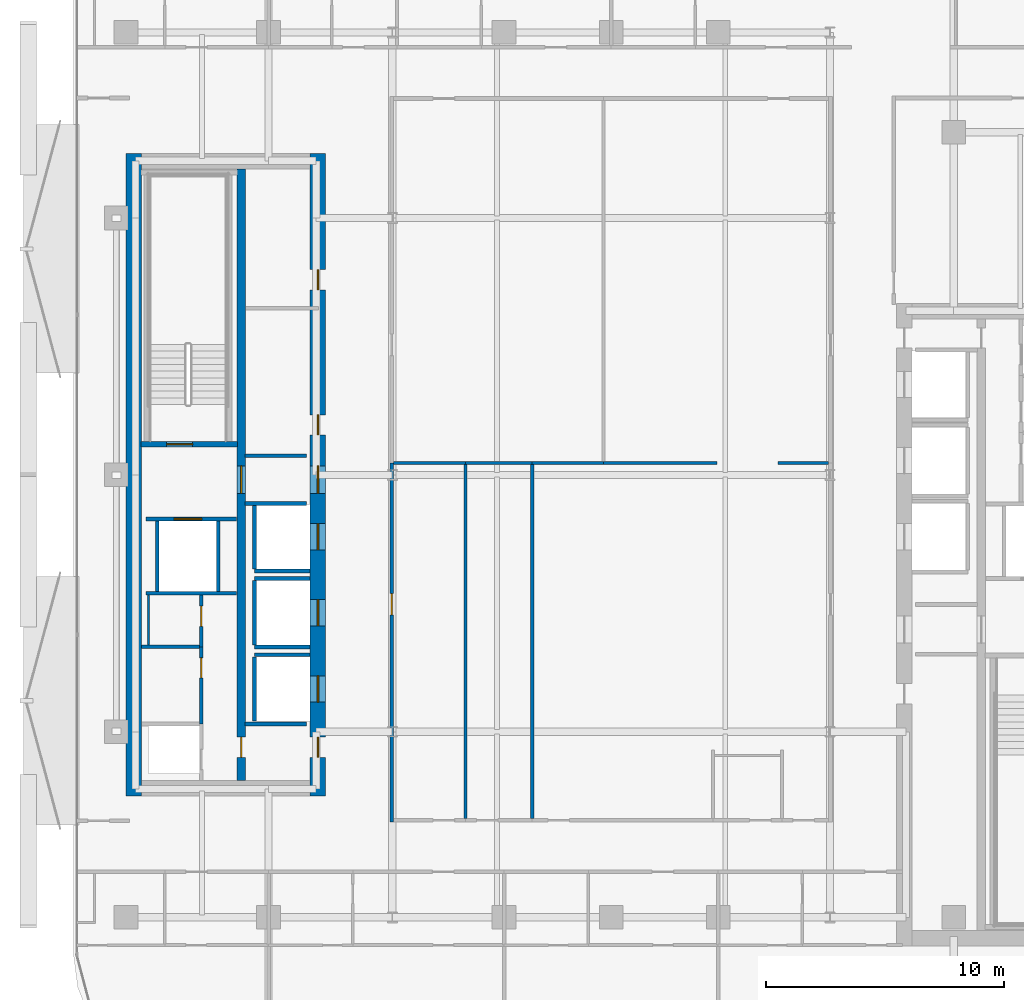
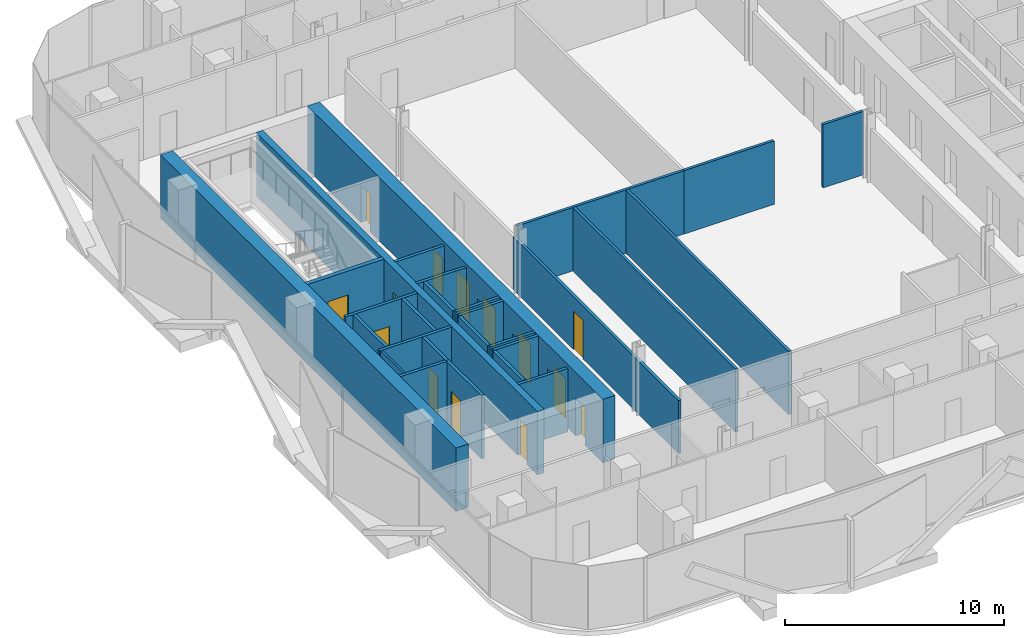
# One storey, part 4 of 17: 30 walls, 14 doors, 14 openings.
"""IFC4 building model written with IfcOpenShell, lengths in metres."""

from ifc_helpers import new_model, si_unit, direction, frame, frame_2d, origin, place, context, subcontext, project, spatial, rectangle, extrude, material, layer, layer_set, type_object, element, fill, save


model = new_model("IFC4")

# Units and contexts
model_context = context("Model", 3, precision=1e-05, world=origin(), true_north=direction((0.0, 1.0)))
body_context = subcontext(model_context, "Body", "Model", "MODEL_VIEW")
ifc_project = project(units=[si_unit("LENGTHUNIT", "METRE"), si_unit("AREAUNIT", "SQUARE_METRE"), si_unit("VOLUMEUNIT", "CUBIC_METRE"), si_unit("PLANEANGLEUNIT", "RADIAN"), si_unit("MASSUNIT", "GRAM", prefix="KILO")], contexts=[model_context])

# Site, building, storey
site_placement = place(None, origin())
site = spatial("IfcSite", under=ifc_project, at=site_placement, CompositionType="ELEMENT")
building_placement = place(site_placement, origin())
building = spatial("IfcBuilding", under=site, at=building_placement, Name="Khairoan Windgate Tower", CompositionType="ELEMENT")
storey_placement = place(building_placement, frame((0.0, 0.0, 180.199951171875)))
storey = spatial("IfcBuildingStorey", under=building, at=storey_placement, Name="L41", CompositionType="ELEMENT", Elevation=180.199951171875)

# Walls
ifc_material_1 = material(Name="Moisture-Resistant Gypsum Partition", Category="gypsum")
ifc_layer_1 = layer(ifc_material_1, 0.10009765625, Name="Moisture-Resistant Gypsum Partition")
ifc_layer_set_1 = layer_set([ifc_layer_1], Name="Moisture-Resistant Gypsum Partition")
wall_type_1 = type_object("IfcWallType", Name="Bathroom Wet-Area Partition Wall", PredefinedType="PARTITIONING", material=ifc_layer_set_1)
wall_1_placement = place(storey_placement, frame((-19.449951171875, -7.14990234375, 0.0), z_axis=(0.0, 0.0, 1.0), x_axis=(0.0, 1.0, 0.0)))
element("IfcWall", 1, at=wall_1_placement, inside=storey, type_object=wall_type_1, Name="L41 Wet Room Side Wall 095", PredefinedType="PARTITIONING", context=body_context, shape_type="SweptSolid", body=[
    extrude(rectangle(XDim=2.08984375, YDim=0.10009765625, at=frame_2d((1.044921875, 0.0))), origin(), (0.0, 0.0, 1.0), 3.5400390625),
])
ifc_material_2 = material(Name="Concrete C40/50", Category="concrete")
ifc_layer_2 = layer(ifc_material_2, 0.159912109375, Name="Concrete C40/50")
ifc_layer_set_2 = layer_set([ifc_layer_2], Name="Concrete C40/50")
wall_type_2 = type_object("IfcWallType", Name="Core and Hoistway Enclosure Wall", PredefinedType="STANDARD", material=ifc_layer_set_2)
wall_2_placement = place(storey_placement, frame((-14.989990234375, -4.0400390625, 0.0), z_axis=(0.0, 0.0, 1.0), x_axis=(1.0, 0.0, 0.0)))
element("IfcWall", 2, at=wall_2_placement, inside=storey, type_object=wall_type_2, Name="L41 Lift PL4 Hoistway Divider S", PredefinedType="STANDARD", context=body_context, shape_type="SweptSolid", body=[
    extrude(rectangle(XDim=2.340087890625, YDim=0.159912109375, at=frame_2d((1.169921875, 0.0))), origin(), (0.0, 0.0, 1.0), 3.5400390625),
])
wall_3_placement = place(storey_placement, frame((-14.989990234375, -3.949951171875, 0.0), z_axis=(0.0, 0.0, 1.0), x_axis=(0.0, 1.0, 0.0)))
element("IfcWall", 3, at=wall_3_placement, inside=storey, type_object=wall_type_2, Name="L41 Lift PL4 Hoistway Back Wall", PredefinedType="STANDARD", context=body_context, shape_type="SweptSolid", body=[
    extrude(rectangle(XDim=2.699951171875, YDim=0.159912109375, at=frame_2d((1.35009765625, 0.0))), origin(), (0.0, 0.0, 1.0), 3.5400390625),
])
for number, where, z_axis, x_axis, name in (
    (4, (-14.989990234375, -7.239990234375, 0.0), (0.0, 0.0, 1.0), (1.0, 0.0, 0.0), "L41 Lift PL5 Hoistway Divider S"),
    (5, (-14.989990234375, -4.360107421875, 0.0), (0.0, 0.0, 1.0), (1.0, 0.0, 0.0), "L41 Lift PL5 Hoistway Divider N"),
):
    element("IfcWall", number, at=place(storey_placement, frame(where, z_axis=z_axis, x_axis=x_axis)), inside=storey, type_object=wall_type_2, Name=name, PredefinedType="STANDARD", context=body_context, shape_type="SweptSolid", body=[
        extrude(rectangle(XDim=2.340087890625, YDim=0.159912109375, at=frame_2d((1.169921875, 0.0))), origin(), (0.0, 0.0, 1.0), 3.5400390625),
    ])
wall_4_placement = place(storey_placement, frame((-14.989990234375, -7.14990234375, 0.0), z_axis=(0.0, 0.0, 1.0), x_axis=(0.0, 1.0, 0.0)))
element("IfcWall", 6, at=wall_4_placement, inside=storey, type_object=wall_type_2, Name="L41 Lift PL5 Hoistway Back Wall", PredefinedType="STANDARD", context=body_context, shape_type="SweptSolid", body=[
    extrude(rectangle(XDim=2.699951171875, YDim=0.159912109375, at=frame_2d((1.35009765625, 0.0))), origin(), (0.0, 0.0, 1.0), 3.5400390625),
])
wall_5_placement = place(storey_placement, frame((-14.989990234375, -7.56005859375, 0.0), z_axis=(0.0, 0.0, 1.0), x_axis=(1.0, 0.0, 0.0)))
element("IfcWall", 7, at=wall_5_placement, inside=storey, type_object=wall_type_2, Name="L41 Lift PL6 Hoistway Divider N", PredefinedType="STANDARD", context=body_context, shape_type="SweptSolid", body=[
    extrude(rectangle(XDim=2.340087890625, YDim=0.159912109375, at=frame_2d((1.169921875, 0.0))), origin(), (0.0, 0.0, 1.0), 3.5400390625),
])
wall_6_placement = place(storey_placement, frame((-14.989990234375, -10.35009765625, 0.0), z_axis=(0.0, 0.0, 1.0), x_axis=(0.0, 1.0, 0.0)))
element("IfcWall", 8, at=wall_6_placement, inside=storey, type_object=wall_type_2, Name="L41 Lift PL6 Hoistway Back Wall", PredefinedType="STANDARD", context=body_context, shape_type="SweptSolid", body=[
    extrude(rectangle(XDim=2.7001953125, YDim=0.159912109375, at=frame_2d((1.35009765625, 0.0))), origin(), (0.0, 0.0, 1.0), 3.5400390625),
])

# Wall, opening, door
wall_7_placement = place(storey_placement, frame((-19.550048828125, -1.860107421875, 0.0), z_axis=(0.0, 0.0, 1.0), x_axis=(1.0, 0.0, 0.0)))
wall_7 = element("IfcWall", 9, at=wall_7_placement, inside=storey, type_object=wall_type_2, Name="L41 Core Shaft Wall SW-FL2-L41", PredefinedType="STANDARD", context=body_context, shape_type="SweptSolid", body=[
    extrude(rectangle(XDim=3.800048828125, YDim=0.159912109375, at=frame_2d((1.89990234375, 0.0))), origin(), (0.0, 0.0, 1.0), 3.5400390625),
])
opening_1_placement = place(wall_7_placement, frame((1.179931640625, 0.0, 0.0)))
opening_1 = element("IfcOpeningElement", 10, at=opening_1_placement, cuts=wall_7, Name="Opening LD-FL", PredefinedType="OPENING", context=body_context, shape_type="SweptSolid", body=[
    extrude(rectangle(XDim=1.14990234375, YDim=2.199951171875, at=frame_2d((0.574951171875, 1.10009765625))), frame((0.0, 0.08984375, 0.0), z_axis=(0.0, -1.0, 0.0), x_axis=(1.0, 0.0, 0.0)), (0.0, 0.0, 1.0), 0.179931640625),
])
ifc_material_3 = material(Name="Steel S355", Category="steel")
door_type_1 = type_object("IfcDoorType", Name="Firefighting Lift Sliding Landing Door LD-FL 1150x2200", OperationType="DOUBLE_DOOR_SLIDING", PredefinedType="DOOR", material=ifc_material_3)
door_1_placement = place(opening_1_placement, origin())
door_1 = element("IfcDoor", 11, at=door_1_placement, inside=storey, type_object=door_type_1, Name="L41 Firefighting Lift FL2 Landing Door", OperationType="DOUBLE_DOOR_SLIDING", OverallHeight=2.199951171875, OverallWidth=1.14990234375, PredefinedType="DOOR", context=body_context, shape_type="SweptSolid", body=[
    extrude(rectangle(XDim=1.14990234375, YDim=2.199951171875, at=frame_2d((0.574951171875, 1.10009765625))), frame((0.0, 0.02490234375, 0.0), z_axis=(0.0, -1.0, 0.0), x_axis=(1.0, 0.0, 0.0)), (0.0, 0.0, 1.0), 0.050048828125),
])
fill(opening_1, door_1)

# Walls
wall_8_placement = place(storey_placement, frame((-19.550048828125, -4.97998046875, 0.0), z_axis=(0.0, 0.0, 1.0), x_axis=(1.0, 0.0, 0.0)))
element("IfcWall", 12, at=wall_8_placement, inside=storey, type_object=wall_type_2, Name="L41 Core Shaft Wall SW-FL2B-L41", PredefinedType="STANDARD", context=body_context, shape_type="SweptSolid", body=[
    extrude(rectangle(XDim=3.800048828125, YDim=0.159912109375, at=frame_2d((1.89990234375, 0.0))), origin(), (0.0, 0.0, 1.0), 3.5400390625),
])
for number, where, z_axis, x_axis, name in (
    (13, (-19.080078125, -4.89990234375, 0.0), (0.0, 0.0, 1.0), (0.0, 1.0, 0.0), "L41 Core Shaft Wall SW-FL2W-L41"),
    (14, (-16.52001953125, -4.89990234375, 0.0), (0.0, 0.0, 1.0), (0.0, 1.0, 0.0), "L41 Core Shaft Wall SW-FL2E-L41"),
):
    element("IfcWall", number, at=place(storey_placement, frame(where, z_axis=z_axis, x_axis=x_axis)), inside=storey, type_object=wall_type_2, Name=name, PredefinedType="STANDARD", context=body_context, shape_type="SweptSolid", body=[
        extrude(rectangle(XDim=2.9599609375, YDim=0.159912109375, at=frame_2d((1.47998046875, 0.0))), origin(), (0.0, 0.0, 1.0), 3.5400390625),
    ])
for number, where, z_axis, x_axis, name in (
    (15, (-15.39990234375, 0.800048828125, 0.0), (0.0, 0.0, 1.0), (1.0, 0.0, 0.0), "L41 Core Shaft Wall SW-WV1-L41"),
    (16, (-15.39990234375, -1.199951171875, 0.0), (0.0, 0.0, 1.0), (1.0, 0.0, 0.0), "L41 Core Shaft Wall SW-WV2-L41"),
    (17, (-15.39990234375, -10.47998046875, 0.0), (0.0, 0.0, 1.0), (1.0, 0.0, 0.0), "L41 Core Shaft Wall SW-WSV-L41"),
):
    element("IfcWall", number, at=place(storey_placement, frame(where, z_axis=z_axis, x_axis=x_axis)), inside=storey, type_object=wall_type_2, Name=name, PredefinedType="STANDARD", context=body_context, shape_type="SweptSolid", body=[
        extrude(rectangle(XDim=2.599853515625, YDim=0.159912109375, at=frame_2d((1.2998046875, 0.0))), origin(), (0.0, 0.0, 1.0), 3.5400390625),
    ])
ifc_material_4 = material(Name="Acoustic Fire-Rated Gypsum Partition", Category="gypsum")
ifc_layer_3 = layer(ifc_material_4, 0.139892578125, Name="Acoustic Fire-Rated Gypsum Partition")
ifc_layer_set_3 = layer_set([ifc_layer_3], Name="Acoustic Fire-Rated Gypsum Partition")
wall_type_3 = type_object("IfcWallType", Name="Inter-Tenancy Compartment Wall", PredefinedType="PARTITIONING", material=ifc_layer_set_3)
wall_9_placement = place(storey_placement, frame((-6.1201171875, -14.445068359375, 0.0), z_axis=(0.0, 0.0, 1.0), x_axis=(0.0, 1.0, 0.0)))
element("IfcWall", 18, at=wall_9_placement, inside=storey, type_object=wall_type_3, Name="L41 Interior Partition 045", PredefinedType="PARTITIONING", context=body_context, shape_type="SweptSolid", body=[
    extrude(rectangle(XDim=14.875, YDim=0.139892578125, at=frame_2d((7.4375, 0.0))), origin(), (0.0, 0.0, 1.0), 3.5400390625),
])
wall_10_placement = place(storey_placement, frame((-9.14501953125, 0.5, 0.0), z_axis=(0.0, 0.0, 1.0), x_axis=(1.0, 0.0, 0.0)))
element("IfcWall", 19, at=wall_10_placement, inside=storey, type_object=wall_type_3, Name="L41 Interior Partition 046", PredefinedType="PARTITIONING", context=body_context, shape_type="SweptSolid", body=[
    extrude(rectangle(XDim=3.02490234375, YDim=0.139892578125, at=frame_2d((1.512451171875, 0.0))), origin(), (0.0, 0.0, 1.0), 3.5400390625),
])
wall_11_placement = place(storey_placement, frame((-3.320068359375, -14.445068359375, 0.0), z_axis=(0.0, 0.0, 1.0), x_axis=(0.0, 1.0, 0.0)))
element("IfcWall", 20, at=wall_11_placement, inside=storey, type_object=wall_type_3, Name="L41 Interior Partition 047", PredefinedType="PARTITIONING", context=body_context, shape_type="SweptSolid", body=[
    extrude(rectangle(XDim=14.875, YDim=0.139892578125, at=frame_2d((7.4375, 0.0))), origin(), (0.0, 0.0, 1.0), 3.5400390625),
])
wall_12_placement = place(storey_placement, frame((-6.1201171875, 0.5, 0.0), z_axis=(0.0, 0.0, 1.0), x_axis=(1.0, 0.0, 0.0)))
element("IfcWall", 21, at=wall_12_placement, inside=storey, type_object=wall_type_3, Name="L41 Interior Partition 048", PredefinedType="PARTITIONING", context=body_context, shape_type="SweptSolid", body=[
    extrude(rectangle(XDim=2.800048828125, YDim=0.139892578125, at=frame_2d((1.39990234375, 0.0))), origin(), (0.0, 0.0, 1.0), 3.5400390625),
])
wall_13_placement = place(storey_placement, frame((-3.320068359375, 0.5, 0.0), z_axis=(0.0, 0.0, 1.0), x_axis=(1.0, 0.0, 0.0)))
element("IfcWall", 22, at=wall_13_placement, inside=storey, type_object=wall_type_3, Name="L41 Interior Partition 050", PredefinedType="PARTITIONING", context=body_context, shape_type="SweptSolid", body=[
    extrude(rectangle(XDim=3.0, YDim=0.139892578125, at=frame_2d((1.5, 0.0))), origin(), (0.0, 0.0, 1.0), 3.5400390625),
])
wall_14_placement = place(storey_placement, frame((-0.320068359375, 0.5, 0.0), z_axis=(0.0, 0.0, 1.0), x_axis=(1.0, 0.0, 0.0)))
element("IfcWall", 23, at=wall_14_placement, inside=storey, type_object=wall_type_3, Name="L41 Interior Partition 051", PredefinedType="PARTITIONING", context=body_context, shape_type="SweptSolid", body=[
    extrude(rectangle(XDim=4.760009765625, YDim=0.139892578125, at=frame_2d((2.3798828125, 0.0))), origin(), (0.0, 0.0, 1.0), 3.5400390625),
])
wall_15_placement = place(storey_placement, frame((7.02001953125, 0.5, 0.0), z_axis=(0.0, 0.0, 1.0), x_axis=(1.0, 0.0, 0.0)))
element("IfcWall", 24, at=wall_15_placement, inside=storey, type_object=wall_type_3, Name="L41 Interior Partition 053", PredefinedType="PARTITIONING", context=body_context, shape_type="SweptSolid", body=[
    extrude(rectangle(XDim=2.125, YDim=0.139892578125, at=frame_2d((1.0625, 0.0))), origin(), (0.0, 0.0, 1.0), 3.5400390625),
])

# Wall, opening, door
ifc_material_5 = material(Name="Concrete C40/50", Category="concrete")
ifc_layer_4 = layer(ifc_material_5, 0.159912109375, Name="Concrete C40/50")
ifc_layer_set_4 = layer_set([ifc_layer_4], Name="Concrete C40/50")
wall_type_4 = type_object("IfcWallType", Name="Plant and Refuge Compartment Wall", PredefinedType="PARTITIONING", material=ifc_layer_set_4)
wall_16_placement = place(storey_placement, frame((-17.22998046875, -7.22998046875, 0.0), z_axis=(0.0, 0.0, 1.0), x_axis=(0.0, 1.0, 0.0)))
wall_16 = element("IfcWall", 25, at=wall_16_placement, inside=storey, type_object=wall_type_4, Name="L41 Interior Partition 002", PredefinedType="PARTITIONING", context=body_context, shape_type="SweptSolid", body=[
    extrude(rectangle(XDim=2.169921875, YDim=0.159912109375, at=frame_2d((1.0849609375, 0.0))), origin(), (0.0, 0.0, 1.0), 3.5400390625),
])
opening_2_placement = place(wall_16_placement, frame((0.860107421875, 0.0, 0.0)))
opening_2 = element("IfcOpeningElement", 26, at=opening_2_placement, cuts=wall_16, Name="Opening FD-SRV", PredefinedType="OPENING", context=body_context, shape_type="SweptSolid", body=[
    extrude(rectangle(XDim=0.85009765625, YDim=2.10009765625, at=frame_2d((0.425048828125, 1.050048828125))), frame((0.0, 0.08984375, 0.0), z_axis=(0.0, -1.0, 0.0), x_axis=(1.0, 0.0, 0.0)), (0.0, 0.0, 1.0), 0.179931640625),
])
ifc_material_6 = material(Name="Steel S355", Category="steel")
door_type_2 = type_object("IfcDoorType", Name="Core Service and Riser Fire Door FD-SRV 850x2100", OperationType="NOTDEFINED", PredefinedType="DOOR", material=ifc_material_6)
door_2_placement = place(opening_2_placement, origin())
door_2 = element("IfcDoor", 27, at=door_2_placement, inside=storey, type_object=door_type_2, Name="L41 L41-04-L41-06 Door", OperationType="SINGLE_SWING_LEFT", OverallHeight=2.10009765625, OverallWidth=0.85009765625, PredefinedType="DOOR", context=body_context, shape_type="SweptSolid", body=[
    extrude(rectangle(XDim=0.85009765625, YDim=2.10009765625, at=frame_2d((0.425048828125, 1.050048828125))), frame((0.0, 0.02490234375, 0.0), z_axis=(0.0, -1.0, 0.0), x_axis=(1.0, 0.0, 0.0)), (0.0, 0.0, 1.0), 0.050048828125),
])
fill(opening_2, door_2)

wall_17_placement = place(storey_placement, frame((-17.22998046875, -10.469970703125, 0.0), z_axis=(0.0, 0.0, 1.0), x_axis=(0.0, 1.0, 0.0)))
wall_17 = element("IfcWall", 28, at=wall_17_placement, inside=storey, type_object=wall_type_4, Name="L41 Interior Partition 003", PredefinedType="PARTITIONING", context=body_context, shape_type="SweptSolid", body=[
    extrude(rectangle(XDim=3.239990234375, YDim=0.159912109375, at=frame_2d((1.6201171875, 0.0))), origin(), (0.0, 0.0, 1.0), 3.5400390625),
])
opening_3_placement = place(wall_17_placement, frame((1.929931640625, 0.0, 0.0)))
opening_3 = element("IfcOpeningElement", 29, at=opening_3_placement, cuts=wall_17, Name="Opening FD-SRV", PredefinedType="OPENING", context=body_context, shape_type="SweptSolid", body=[
    extrude(rectangle(XDim=0.85009765625, YDim=2.10009765625, at=frame_2d((0.425048828125, 1.050048828125))), frame((0.0, 0.08984375, 0.0), z_axis=(0.0, -1.0, 0.0), x_axis=(1.0, 0.0, 0.0)), (0.0, 0.0, 1.0), 0.179931640625),
])
door_3_placement = place(opening_3_placement, origin())
door_3 = element("IfcDoor", 30, at=door_3_placement, inside=storey, type_object=door_type_2, Name="L41 L41-04-L41-07 Door", OperationType="SINGLE_SWING_RIGHT", OverallHeight=2.10009765625, OverallWidth=0.85009765625, PredefinedType="DOOR", context=body_context, shape_type="SweptSolid", body=[
    extrude(rectangle(XDim=0.85009765625, YDim=2.10009765625, at=frame_2d((0.425048828125, 1.050048828125))), frame((0.0, 0.02490234375, 0.0), z_axis=(0.0, -1.0, 0.0), x_axis=(1.0, 0.0, 0.0)), (0.0, 0.0, 1.0), 0.050048828125),
])
fill(opening_3, door_3)

# Wall
wall_18_placement = place(storey_placement, frame((-19.75, -7.22998046875, 0.0), z_axis=(0.0, 0.0, 1.0), x_axis=(1.0, 0.0, 0.0)))
element("IfcWall", 31, at=wall_18_placement, inside=storey, type_object=wall_type_4, Name="L41 Interior Partition 005", PredefinedType="PARTITIONING", context=body_context, shape_type="SweptSolid", body=[
    extrude(rectangle(XDim=2.43994140625, YDim=0.159912109375, at=frame_2d((1.219970703125, 0.0))), origin(), (0.0, 0.0, 1.0), 3.5400390625),
])

# Wall, opening, door
ifc_material_7 = material(Name="Acoustic Fire-Rated Gypsum Partition", Category="gypsum")
ifc_layer_5 = layer(ifc_material_7, 0.14990234375, Name="Acoustic Fire-Rated Gypsum Partition")
ifc_layer_set_5 = layer_set([ifc_layer_5], Name="Acoustic Fire-Rated Gypsum Partition")
wall_type_5 = type_object("IfcWallType", Name="Rated Corridor Partition Wall", PredefinedType="PARTITIONING", material=ifc_layer_set_5)
wall_19_placement = place(storey_placement, frame((-9.219970703125, -14.594970703125, 0.0), z_axis=(0.0, 0.0, 1.0), x_axis=(0.0, 1.0, 0.0)))
wall_19 = element("IfcWall", 32, at=wall_19_placement, inside=storey, type_object=wall_type_5, Name="L41 Interior Partition 012", PredefinedType="PARTITIONING", context=body_context, shape_type="SweptSolid", body=[
    extrude(rectangle(XDim=15.094970703125, YDim=0.14990234375, at=frame_2d((7.54736328125, 0.0))), origin(), (0.0, 0.0, 1.0), 2.9521484375),
])
opening_4_placement = place(wall_19_placement, frame((8.70654296875, 0.0, 0.0)))
opening_4 = element("IfcOpeningElement", 33, at=opening_4_placement, cuts=wall_19, Name="Opening FD-ENT", PredefinedType="OPENING", context=body_context, shape_type="SweptSolid", body=[
    extrude(rectangle(XDim=0.89990234375, YDim=2.14990234375, at=frame_2d((0.449951171875, 1.074951171875))), frame((0.0, 0.0849609375, 0.0), z_axis=(0.0, -1.0, 0.0), x_axis=(1.0, 0.0, 0.0)), (0.0, 0.0, 1.0), 0.169921875),
])
ifc_material_8 = material(Name="Timber Fire-Rated Core", Category="wood")
door_type_3 = type_object("IfcDoorType", Name="Unit and Office Fire Entrance Door FD-ENT 900x2150", OperationType="NOTDEFINED", PredefinedType="DOOR", material=ifc_material_8)
door_4_placement = place(opening_4_placement, origin())
door_4 = element("IfcDoor", 34, at=door_4_placement, inside=storey, type_object=door_type_3, Name="L41 L41-28-L41-32 Door", OperationType="SINGLE_SWING_RIGHT", OverallHeight=2.14990234375, OverallWidth=0.89990234375, PredefinedType="DOOR", context=body_context, shape_type="SweptSolid", body=[
    extrude(rectangle(XDim=0.89990234375, YDim=2.14990234375, at=frame_2d((0.449951171875, 1.074951171875))), frame((0.0, 0.02490234375, 0.0), z_axis=(0.0, -1.0, 0.0), x_axis=(1.0, 0.0, 0.0)), (0.0, 0.0, 1.0), 0.050048828125),
])
fill(opening_4, door_4)

# Wall
ifc_material_9 = material(Name="Concrete C60/75", Category="concrete")
ifc_layer_6 = layer(ifc_material_9, 0.64990234375, Name="Concrete C60/75")
ifc_layer_set_6 = layer_set([ifc_layer_6], Name="Concrete C60/75")
wall_type_6 = type_object("IfcWallType", Name="Shear Wall CW-W2 650mm", PredefinedType="SHEAR", material=ifc_layer_set_6)
wall_20_placement = place(storey_placement, frame((-20.074951171875, -13.5, 0.0), z_axis=(0.0, 0.0, 1.0), x_axis=(0.0, 1.0, 0.0)))
element("IfcWall", 35, at=wall_20_placement, inside=storey, type_object=wall_type_6, Name="W Core West Shear Wall L41", PredefinedType="SHEAR", context=body_context, shape_type="SweptSolid", body=[
    extrude(rectangle(XDim=27.0, YDim=0.64990234375, at=frame_2d((13.5, 0.0))), origin(), (0.0, 0.0, 1.0), 3.5400390625),
])

# Wall, openings, doors
wall_21_placement = place(storey_placement, frame((-12.324951171875, -13.5, 0.0), z_axis=(0.0, 0.0, 1.0), x_axis=(0.0, 1.0, 0.0)))
wall_21 = element("IfcWall", 36, at=wall_21_placement, inside=storey, type_object=wall_type_6, Name="W Core East Shear Wall L41", PredefinedType="SHEAR", context=body_context, shape_type="SweptSolid", body=[
    extrude(rectangle(XDim=27.0, YDim=0.64990234375, at=frame_2d((13.5, 0.0))), origin(), (0.0, 0.0, 1.0), 3.5400390625),
])
opening_5_placement = place(wall_21_placement, frame((10.35009765625, 0.0, 0.0)))
opening_5 = element("IfcOpeningElement", 37, at=opening_5_placement, cuts=wall_21, Name="Opening LD-PL", PredefinedType="OPENING", context=body_context, shape_type="SweptSolid", body=[
    extrude(rectangle(XDim=1.10009765625, YDim=2.199951171875, at=frame_2d((0.550048828125, 1.10009765625))), frame((0.0, 0.3349609375, 0.0), z_axis=(0.0, -1.0, 0.0), x_axis=(1.0, 0.0, 0.0)), (0.0, 0.0, 1.0), 0.669921875),
])
opening_6_placement = place(wall_21_placement, frame((7.14990234375, 0.0, 0.0)))
opening_6 = element("IfcOpeningElement", 38, at=opening_6_placement, cuts=wall_21, Name="Opening LD-PL", PredefinedType="OPENING", context=body_context, shape_type="SweptSolid", body=[
    extrude(rectangle(XDim=1.10009765625, YDim=2.199951171875, at=frame_2d((0.550048828125, 1.10009765625))), frame((0.0, 0.3349609375, 0.0), z_axis=(0.0, -1.0, 0.0), x_axis=(1.0, 0.0, 0.0)), (0.0, 0.0, 1.0), 0.669921875),
])
opening_7_placement = place(wall_21_placement, frame((3.949951171875, 0.0, 0.0)))
opening_7 = element("IfcOpeningElement", 39, at=opening_7_placement, cuts=wall_21, Name="Opening LD-PL", PredefinedType="OPENING", context=body_context, shape_type="SweptSolid", body=[
    extrude(rectangle(XDim=1.10009765625, YDim=2.199951171875, at=frame_2d((0.550048828125, 1.10009765625))), frame((0.0, 0.3349609375, 0.0), z_axis=(0.0, -1.0, 0.0), x_axis=(1.0, 0.0, 0.0)), (0.0, 0.0, 1.0), 0.669921875),
])
opening_8_placement = place(wall_21_placement, frame((15.175048828125, 0.0, 0.0)))
opening_8 = element("IfcOpeningElement", 40, at=opening_8_placement, cuts=wall_21, Name="Opening FD-SRV", PredefinedType="OPENING", context=body_context, shape_type="SweptSolid", body=[
    extrude(rectangle(XDim=0.85009765625, YDim=2.10009765625, at=frame_2d((0.425048828125, 1.050048828125))), frame((0.0, 0.3349609375, 0.0), z_axis=(0.0, -1.0, 0.0), x_axis=(1.0, 0.0, 0.0)), (0.0, 0.0, 1.0), 0.669921875),
])
opening_9_placement = place(wall_21_placement, frame((21.27490234375, 0.0, 0.0)))
opening_9 = element("IfcOpeningElement", 41, at=opening_9_placement, cuts=wall_21, Name="Opening FD-SRV", PredefinedType="OPENING", context=body_context, shape_type="SweptSolid", body=[
    extrude(rectangle(XDim=0.85009765625, YDim=2.10009765625, at=frame_2d((0.425048828125, 1.050048828125))), frame((0.0, 0.3349609375, 0.0), z_axis=(0.0, -1.0, 0.0), x_axis=(1.0, 0.0, 0.0)), (0.0, 0.0, 1.0), 0.669921875),
])
opening_10_placement = place(wall_21_placement, frame((12.72509765625, 0.0, 0.0)))
opening_10 = element("IfcOpeningElement", 42, at=opening_10_placement, cuts=wall_21, Name="Opening FD-FFL", PredefinedType="OPENING", context=body_context, shape_type="SweptSolid", body=[
    extrude(rectangle(XDim=1.14990234375, YDim=2.199951171875, at=frame_2d((0.574951171875, 1.10009765625))), frame((0.0, 0.3349609375, 0.0), z_axis=(0.0, -1.0, 0.0), x_axis=(1.0, 0.0, 0.0)), (0.0, 0.0, 1.0), 0.669921875),
])
opening_11_placement = place(wall_21_placement, frame((1.625, 0.0, 0.0)))
opening_11 = element("IfcOpeningElement", 43, at=opening_11_placement, cuts=wall_21, Name="Opening FD-SRV", PredefinedType="OPENING", context=body_context, shape_type="SweptSolid", body=[
    extrude(rectangle(XDim=0.85009765625, YDim=2.10009765625, at=frame_2d((0.425048828125, 1.050048828125))), frame((0.0, 0.3349609375, 0.0), z_axis=(0.0, -1.0, 0.0), x_axis=(1.0, 0.0, 0.0)), (0.0, 0.0, 1.0), 0.669921875),
])
door_5_placement = place(opening_8_placement, origin())
door_5 = element("IfcDoor", 44, at=door_5_placement, inside=storey, type_object=door_type_2, Name="L41 Upper Core Room Door B1-1", OperationType="SINGLE_SWING_LEFT", OverallHeight=2.10009765625, OverallWidth=0.85009765625, PredefinedType="DOOR", context=body_context, shape_type="SweptSolid", body=[
    extrude(rectangle(XDim=0.85009765625, YDim=2.10009765625, at=frame_2d((0.425048828125, 1.050048828125))), frame((0.0, 0.02490234375, 0.0), z_axis=(0.0, -1.0, 0.0), x_axis=(1.0, 0.0, 0.0)), (0.0, 0.0, 1.0), 0.050048828125),
])
fill(opening_8, door_5)
door_6_placement = place(opening_9_placement, origin())
door_6 = element("IfcDoor", 45, at=door_6_placement, inside=storey, type_object=door_type_2, Name="L41 Upper Core Room Door B1-2", OperationType="SINGLE_SWING_RIGHT", OverallHeight=2.10009765625, OverallWidth=0.85009765625, PredefinedType="DOOR", context=body_context, shape_type="SweptSolid", body=[
    extrude(rectangle(XDim=0.85009765625, YDim=2.10009765625, at=frame_2d((0.425048828125, 1.050048828125))), frame((0.0, 0.02490234375, 0.0), z_axis=(0.0, -1.0, 0.0), x_axis=(1.0, 0.0, 0.0)), (0.0, 0.0, 1.0), 0.050048828125),
])
fill(opening_9, door_6)
door_7_placement = place(opening_11_placement, origin())
door_7 = element("IfcDoor", 46, at=door_7_placement, inside=storey, type_object=door_type_2, Name="L41 West Core Service Vestibule Outer Door", OperationType="SINGLE_SWING_RIGHT", OverallHeight=2.10009765625, OverallWidth=0.85009765625, PredefinedType="DOOR", context=body_context, shape_type="SweptSolid", body=[
    extrude(rectangle(XDim=0.85009765625, YDim=2.10009765625, at=frame_2d((0.425048828125, 1.050048828125))), frame((0.0, 0.02490234375, 0.0), z_axis=(0.0, -1.0, 0.0), x_axis=(1.0, 0.0, 0.0)), (0.0, 0.0, 1.0), 0.050048828125),
])
fill(opening_11, door_7)
ifc_material_10 = material(Name="Steel S355", Category="steel")
door_type_4 = type_object("IfcDoorType", Name="Firefighting Lobby Fire Door FD-FFL 1150x2200", OperationType="NOTDEFINED", PredefinedType="DOOR", material=ifc_material_10)
door_8_placement = place(opening_10_placement, origin())
door_8 = element("IfcDoor", 47, at=door_8_placement, inside=storey, type_object=door_type_4, Name="L41 West Core Vestibule Entry Door", OperationType="SINGLE_SWING_RIGHT", OverallHeight=2.199951171875, OverallWidth=1.14990234375, PredefinedType="DOOR", context=body_context, shape_type="SweptSolid", body=[
    extrude(rectangle(XDim=1.14990234375, YDim=2.199951171875, at=frame_2d((0.574951171875, 1.10009765625))), frame((0.0, 0.02490234375, 0.0), z_axis=(0.0, -1.0, 0.0), x_axis=(1.0, 0.0, 0.0)), (0.0, 0.0, 1.0), 0.050048828125),
])
fill(opening_10, door_8)
ifc_material_11 = material(Name="Anodised Bronze Aluminium 6063-T6", Category="aluminium")
door_type_5 = type_object("IfcDoorType", Name="Passenger Lift Sliding Landing Door LD-PL 1100x2200", OperationType="DOUBLE_DOOR_SLIDING", PredefinedType="DOOR", material=ifc_material_11)
door_9_placement = place(opening_5_placement, origin())
door_9 = element("IfcDoor", 48, at=door_9_placement, inside=storey, type_object=door_type_5, Name="L41 Lift PL4 Sliding Landing Door", OperationType="DOUBLE_DOOR_SLIDING", OverallHeight=2.199951171875, OverallWidth=1.10009765625, PredefinedType="DOOR", context=body_context, shape_type="SweptSolid", body=[
    extrude(rectangle(XDim=1.10009765625, YDim=2.199951171875, at=frame_2d((0.550048828125, 1.10009765625))), frame((0.0, 0.02490234375, 0.0), z_axis=(0.0, -1.0, 0.0), x_axis=(1.0, 0.0, 0.0)), (0.0, 0.0, 1.0), 0.050048828125),
])
fill(opening_5, door_9)
door_10_placement = place(opening_6_placement, origin())
door_10 = element("IfcDoor", 49, at=door_10_placement, inside=storey, type_object=door_type_5, Name="L41 Lift PL5 Sliding Landing Door", OperationType="DOUBLE_DOOR_SLIDING", OverallHeight=2.199951171875, OverallWidth=1.10009765625, PredefinedType="DOOR", context=body_context, shape_type="SweptSolid", body=[
    extrude(rectangle(XDim=1.10009765625, YDim=2.199951171875, at=frame_2d((0.550048828125, 1.10009765625))), frame((0.0, 0.02490234375, 0.0), z_axis=(0.0, -1.0, 0.0), x_axis=(1.0, 0.0, 0.0)), (0.0, 0.0, 1.0), 0.050048828125),
])
fill(opening_6, door_10)
door_11_placement = place(opening_7_placement, origin())
door_11 = element("IfcDoor", 50, at=door_11_placement, inside=storey, type_object=door_type_5, Name="L41 Lift PL6 Sliding Landing Door", OperationType="DOUBLE_DOOR_SLIDING", OverallHeight=2.199951171875, OverallWidth=1.10009765625, PredefinedType="DOOR", context=body_context, shape_type="SweptSolid", body=[
    extrude(rectangle(XDim=1.10009765625, YDim=2.199951171875, at=frame_2d((0.550048828125, 1.10009765625))), frame((0.0, 0.02490234375, 0.0), z_axis=(0.0, -1.0, 0.0), x_axis=(1.0, 0.0, 0.0)), (0.0, 0.0, 1.0), 0.050048828125),
])
fill(opening_7, door_11)

ifc_material_12 = material(Name="Concrete C60/75", Category="concrete")
ifc_layer_7 = layer(ifc_material_12, 0.35009765625, Name="Concrete C60/75")
ifc_layer_set_7 = layer_set([ifc_layer_7], Name="Concrete C60/75")
wall_type_7 = type_object("IfcWallType", Name="Shear Wall SW-1 350mm", PredefinedType="SHEAR", material=ifc_layer_set_7)
wall_22_placement = place(storey_placement, frame((-15.550048828125, -12.85009765625, 0.0), z_axis=(0.0, 0.0, 1.0), x_axis=(0.0, 1.0, 0.0)))
wall_22 = element("IfcWall", 51, at=wall_22_placement, inside=storey, type_object=wall_type_7, Name="W Core Spine Shear Wall L41", PredefinedType="SHEAR", context=body_context, shape_type="SweptSolid", body=[
    extrude(rectangle(XDim=25.7001953125, YDim=0.35009765625, at=frame_2d((12.85009765625, 0.0))), origin(), (0.0, 0.0, 1.0), 3.5400390625),
])
opening_12_placement = place(wall_22_placement, frame((12.074951171875, 0.0, 0.0)))
opening_12 = element("IfcOpeningElement", 52, at=opening_12_placement, cuts=wall_22, Name="Opening FD-FFL", PredefinedType="OPENING", context=body_context, shape_type="SweptSolid", body=[
    extrude(rectangle(XDim=1.14990234375, YDim=2.199951171875, at=frame_2d((0.574951171875, 1.10009765625))), frame((0.0, 0.18505859375, 0.0), z_axis=(0.0, -1.0, 0.0), x_axis=(1.0, 0.0, 0.0)), (0.0, 0.0, 1.0), 0.3701171875),
])
opening_13_placement = place(wall_22_placement, frame((0.97509765625, 0.0, 0.0)))
opening_13 = element("IfcOpeningElement", 53, at=opening_13_placement, cuts=wall_22, Name="Opening FD-SRV", PredefinedType="OPENING", context=body_context, shape_type="SweptSolid", body=[
    extrude(rectangle(XDim=0.85009765625, YDim=2.10009765625, at=frame_2d((0.425048828125, 1.050048828125))), frame((0.0, 0.18505859375, 0.0), z_axis=(0.0, -1.0, 0.0), x_axis=(1.0, 0.0, 0.0)), (0.0, 0.0, 1.0), 0.3701171875),
])
door_12_placement = place(opening_13_placement, origin())
door_12 = element("IfcDoor", 54, at=door_12_placement, inside=storey, type_object=door_type_2, Name="L41 West Core Service Passage Inner Door", OperationType="SINGLE_SWING_LEFT", OverallHeight=2.10009765625, OverallWidth=0.85009765625, PredefinedType="DOOR", context=body_context, shape_type="SweptSolid", body=[
    extrude(rectangle(XDim=0.85009765625, YDim=2.10009765625, at=frame_2d((0.425048828125, 1.050048828125))), frame((0.0, 0.02490234375, 0.0), z_axis=(0.0, -1.0, 0.0), x_axis=(1.0, 0.0, 0.0)), (0.0, 0.0, 1.0), 0.050048828125),
])
fill(opening_13, door_12)
door_13_placement = place(opening_12_placement, origin())
door_13 = element("IfcDoor", 55, at=door_13_placement, inside=storey, type_object=door_type_4, Name="L41 West Firefighting Lobby Fire Door", OperationType="SINGLE_SWING_LEFT", OverallHeight=2.199951171875, OverallWidth=1.14990234375, PredefinedType="DOOR", context=body_context, shape_type="SweptSolid", body=[
    extrude(rectangle(XDim=1.14990234375, YDim=2.199951171875, at=frame_2d((0.574951171875, 1.10009765625))), frame((0.0, 0.02490234375, 0.0), z_axis=(0.0, -1.0, 0.0), x_axis=(1.0, 0.0, 0.0)), (0.0, 0.0, 1.0), 0.050048828125),
])
fill(opening_12, door_13)

# Wall, opening, door
ifc_material_13 = material(Name="Concrete C50/60", Category="concrete")
ifc_layer_8 = layer(ifc_material_13, 0.219970703125, Name="Concrete C50/60")
ifc_layer_set_8 = layer_set([ifc_layer_8], Name="Concrete C50/60")
wall_type_8 = type_object("IfcWallType", Name="Shear Wall SW-ST 220mm", PredefinedType="SHEAR", material=ifc_layer_set_8)
wall_23_placement = place(storey_placement, frame((-19.77001953125, 1.2900390625, 0.0), z_axis=(0.0, 0.0, 1.0), x_axis=(1.0, 0.0, 0.0)))
wall_23 = element("IfcWall", 56, at=wall_23_placement, inside=storey, type_object=wall_type_8, Name="L41 Stair ST2 South Bearing Wall", PredefinedType="SHEAR", context=body_context, shape_type="SweptSolid", body=[
    extrude(rectangle(XDim=4.06494140625, YDim=0.219970703125, at=frame_2d((2.032470703125, 0.0))), origin(), (0.0, 0.0, 1.0), 3.5400390625),
])
opening_14_placement = place(wall_23_placement, frame((1.080078125, 0.0, 0.0)))
opening_14 = element("IfcOpeningElement", 57, at=opening_14_placement, cuts=wall_23, Name="Opening FD-ST", PredefinedType="OPENING", context=body_context, shape_type="SweptSolid", body=[
    extrude(rectangle(XDim=1.10009765625, YDim=2.199951171875, at=frame_2d((0.550048828125, 1.10009765625))), frame((0.0, 0.119873046875, 0.0), z_axis=(0.0, -1.0, 0.0), x_axis=(1.0, 0.0, 0.0)), (0.0, 0.0, 1.0), 0.239990234375),
])
ifc_material_14 = material(Name="Steel S355", Category="steel")
door_type_6 = type_object("IfcDoorType", Name="Smokeproof Stair Fire Door FD-ST 1100x2200", OperationType="NOTDEFINED", PredefinedType="DOOR", material=ifc_material_14)
door_14_placement = place(opening_14_placement, origin())
door_14 = element("IfcDoor", 58, at=door_14_placement, inside=storey, type_object=door_type_6, Name="L41 Stair ST2 Fire Door", OperationType="SINGLE_SWING_RIGHT", OverallHeight=2.199951171875, OverallWidth=1.10009765625, PredefinedType="DOOR", context=body_context, shape_type="SweptSolid", body=[
    extrude(rectangle(XDim=1.10009765625, YDim=2.199951171875, at=frame_2d((0.550048828125, 1.10009765625))), frame((0.0, 0.02490234375, 0.0), z_axis=(0.0, -1.0, 0.0), x_axis=(1.0, 0.0, 0.0)), (0.0, 0.0, 1.0), 0.050048828125),
])
fill(opening_14, door_14)

save(model, "model.ifc")
